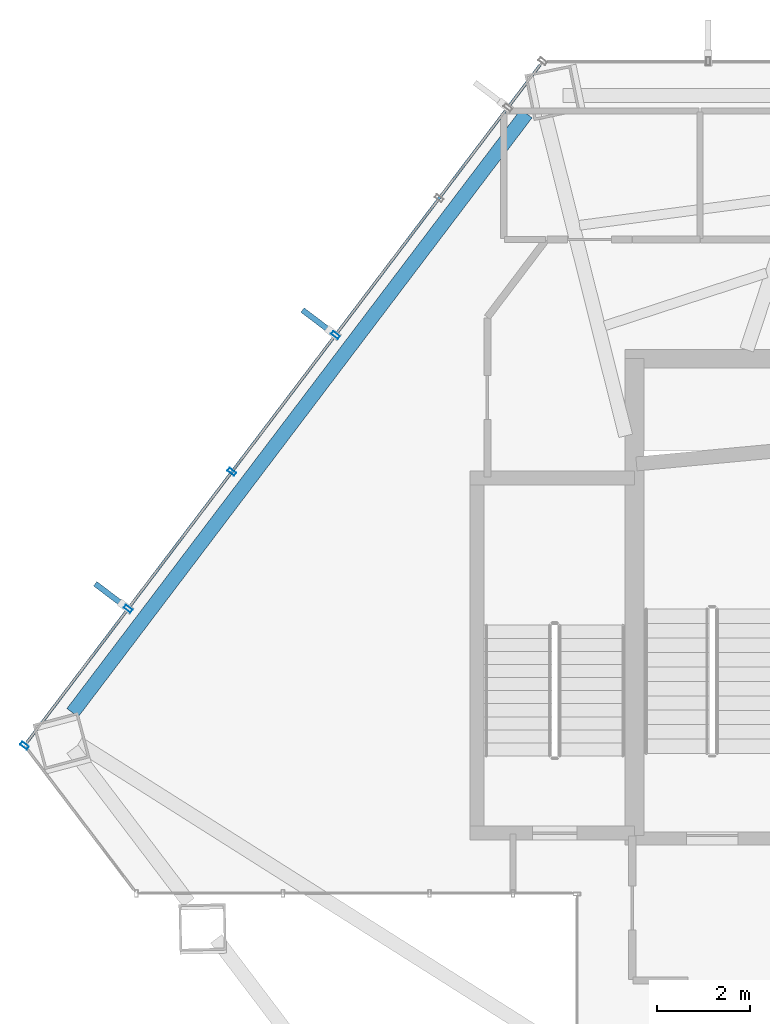
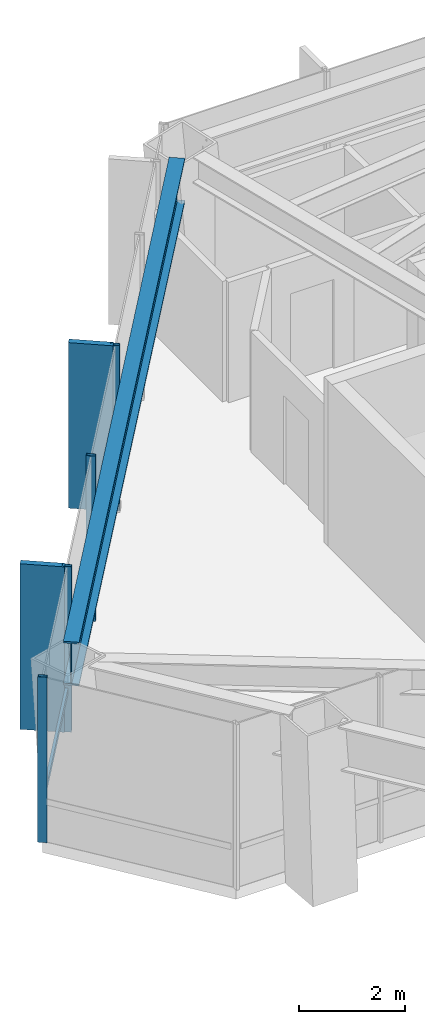
# One storey, part 10 of 24: 7 members, 1 beam, 1 element without a shape of its own.
"""IFC4 building model written with IfcOpenShell, lengths in metres."""

from ifc_helpers import new_model, si_unit, direction, frame, origin, origin_2d, place, context, subcontext, project, spatial, rectangle, hollow_rectangle, i_section, extrude, material, layer, layer_set, material_profile, profile_set, type_object, element, aggregate, save


model = new_model("IFC4")

# Units and contexts
model_context = context("Model", 3, precision=1e-05, world=origin(), true_north=direction((0.0, 1.0)))
body_context = subcontext(model_context, "Body", "Model", "MODEL_VIEW")
ifc_project = project(units=[si_unit("LENGTHUNIT", "METRE"), si_unit("AREAUNIT", "SQUARE_METRE"), si_unit("VOLUMEUNIT", "CUBIC_METRE"), si_unit("PLANEANGLEUNIT", "RADIAN"), si_unit("MASSUNIT", "GRAM", prefix="KILO")], contexts=[model_context])

# Site, building, storey
site_placement = place(None, origin())
site = spatial("IfcSite", under=ifc_project, at=site_placement, CompositionType="ELEMENT")
building_placement = place(site_placement, origin())
building = spatial("IfcBuilding", under=site, at=building_placement, Name="Zarrinselat Tower", CompositionType="ELEMENT")
storey_placement = place(building_placement, frame((0.0, 0.0, 68.340087890625)))
storey = spatial("IfcBuildingStorey", under=building, at=storey_placement, Name="L16", CompositionType="ELEMENT", Elevation=68.340087890625)

# Beam
ifc_material_1 = material(Name="Steel S460M", Category="steel")
ifc_material_profile_1 = material_profile(ifc_material_1, i_section(OverallWidth=0.302001953125, OverallDepth=1.008056640625, WebThickness=0.02099609375, FlangeThickness=0.0400390625, at=origin_2d()), Name="HEM 1000")
ifc_profile_set_1 = profile_set([ifc_material_profile_1], Name="Steel S460M")
beam_type = type_object("IfcBeamType", Name="BM-HEM1000", PredefinedType="BEAM", material=ifc_profile_set_1)
beam_placement = place(storey_placement, frame((16.57568359375, 35.8759765625, 3.31591796875), z_axis=(0.603860026336, 0.797090376678, 0.0), x_axis=(-0.797090376678, 0.603860026336, 0.0)))
element("IfcBeam", 1, at=beam_placement, inside=storey, type_object=beam_type, Name="L16 Perimeter Spandrel Girder SP05", PredefinedType="BEAM", context=body_context, shape_type="SweptSolid", body=[
    extrude(i_section(OverallWidth=0.302001953125, OverallDepth=1.008056640625, WebThickness=0.02099609375, FlangeThickness=0.0400390625, at=origin_2d()), origin(), (0.0, 0.0, 1.0), 16.08154296875),
])

# Curtain wall, members
ifc_material_2 = material(Name="Extruded Aluminium Alloy EN AW-6063 T6", Category="aluminium")
ifc_layer = layer(ifc_material_2, 0.18505859375)
ifc_layer_set = layer_set([ifc_layer], Name="Extruded Aluminium Alloy EN AW-6063 T6")
curtain_wall_type = type_object("IfcCurtainWallType", Name="CWS-OFF", PredefinedType="NOTDEFINED", material=ifc_layer_set)
curtain_wall_placement = place(storey_placement, origin())
curtain_wall = element("IfcCurtainWall", 2, at=curtain_wall_placement, inside=storey, type_object=curtain_wall_type, Name="L16 Unitised Curtain Wall CW-L16-E01", PredefinedType="NOTDEFINED")
ifc_material_3 = material(Name="Extruded Aluminium Alloy EN AW-6063 T6", Category="aluminium")
ifc_material_profile_2 = material_profile(ifc_material_3, hollow_rectangle(XDim=0.080078125, YDim=0.179931640625, WallThickness=0.0048828125, at=origin_2d()), Name="RHS 180x80x5")
ifc_profile_set_2 = profile_set([ifc_material_profile_2], Name="Extruded Aluminium Alloy EN AW-6063 T6")
member_type_1 = type_object("IfcMemberType", Name="MEM-CW-MUL", PredefinedType="MULLION", material=ifc_profile_set_2)
member_1_placement = place(storey_placement, frame((15.548583984375, 35.1748046875, 0.0), z_axis=(0.0, 0.0, 1.0), x_axis=(0.603856639456, 0.797092942501, 0.0)))
member_1 = element("IfcMember", 3, at=member_1_placement, type_object=member_type_1, Name="CW-L16-E01 Mullion 0", PredefinedType="MULLION", context=body_context, shape_type="SweptSolid", body=[
    extrude(hollow_rectangle(XDim=0.080078125, YDim=0.179931640625, WallThickness=0.0048828125, at=origin_2d()), origin(), (0.0, 0.0, 1.0), 3.81982421875),
])
member_2_placement = place(storey_placement, frame((17.76611328125, 38.10205078125, 0.0), z_axis=(0.0, 0.0, 1.0), x_axis=(0.603856639456, 0.797092942501, 0.0)))
member_2 = element("IfcMember", 4, at=member_2_placement, type_object=member_type_1, Name="CW-L16-E01 Mullion 1", PredefinedType="MULLION", context=body_context, shape_type="SweptSolid", body=[
    extrude(hollow_rectangle(XDim=0.080078125, YDim=0.179931640625, WallThickness=0.0048828125, at=origin_2d()), origin(), (0.0, 0.0, 1.0), 3.81982421875),
])
member_3_placement = place(storey_placement, frame((19.98388671875, 41.029296875, 0.0), z_axis=(0.0, 0.0, 1.0), x_axis=(0.603856639456, 0.797092942501, 0.0)))
member_3 = element("IfcMember", 5, at=member_3_placement, type_object=member_type_1, Name="CW-L16-E01 Mullion 2", PredefinedType="MULLION", context=body_context, shape_type="SweptSolid", body=[
    extrude(hollow_rectangle(XDim=0.080078125, YDim=0.179931640625, WallThickness=0.0048828125, at=origin_2d()), origin(), (0.0, 0.0, 1.0), 3.81982421875),
])
member_4_placement = place(storey_placement, frame((22.201416015625, 43.95654296875, 0.0), z_axis=(0.0, 0.0, 1.0), x_axis=(0.603856639456, 0.797092942501, 0.0)))
member_4 = element("IfcMember", 6, at=member_4_placement, type_object=member_type_1, Name="CW-L16-E01 Mullion 3", PredefinedType="MULLION", context=body_context, shape_type="SweptSolid", body=[
    extrude(hollow_rectangle(XDim=0.080078125, YDim=0.179931640625, WallThickness=0.0048828125, at=origin_2d()), origin(), (0.0, 0.0, 1.0), 3.81982421875),
])
ifc_material_4 = material(Name="Extruded Aluminium Alloy EN AW-6063 T6", Category="aluminium")
ifc_material_profile_3 = material_profile(ifc_material_4, hollow_rectangle(XDim=0.06005859375, YDim=0.139892578125, WallThickness=0.00390625, at=origin_2d()), Name="RHS 140x60x4")
ifc_profile_set_3 = profile_set([ifc_material_profile_3], Name="Extruded Aluminium Alloy EN AW-6063 T6")
member_type_2 = type_object("IfcMemberType", Name="MEM-CW-TRN", PredefinedType="USERDEFINED", material=ifc_profile_set_3)
member_5_placement = place(storey_placement, frame((15.602783203125, 35.24658203125, 0.949951171875), z_axis=(0.603857946516, 0.797091952305, 0.0), x_axis=(-0.797091952305, 0.603857946516, 0.0)))
member_5 = element("IfcMember", 7, at=member_5_placement, type_object=member_type_2, Name="CW-L16-E01 Transom 1", ObjectType="TRANSOM", PredefinedType="USERDEFINED", context=body_context, shape_type="SweptSolid", body=[
    extrude(hollow_rectangle(XDim=0.06005859375, YDim=0.139892578125, WallThickness=0.00390625, at=origin_2d()), origin(), (0.0, 0.0, 1.0), 18.18212890625),
])
ifc_material_5 = material(Name="Honed Cream Travertine Stone", Category="masonry")
ifc_material_profile_4 = material_profile(ifc_material_5, rectangle(XDim=0.1201171875, YDim=0.85009765625, at=origin_2d()), Name="FIN 850x120")
ifc_profile_set_4 = profile_set([ifc_material_profile_4], Name="Honed Cream Travertine Stone")
member_type_3 = type_object("IfcMemberType", Name="MEM-STONE-FIN", PredefinedType="USERDEFINED", material=ifc_profile_set_4)
member_6_placement = place(storey_placement, frame((17.3994140625, 38.3798828125, 0.0), z_axis=(0.0, 0.0, 1.0), x_axis=(0.603856639456, 0.797092942501, 0.0)))
member_6 = element("IfcMember", 8, at=member_6_placement, type_object=member_type_3, Name="L16 Stone Shading Fin CW-L16-E01-01", ObjectType="FIN", PredefinedType="USERDEFINED", context=body_context, shape_type="SweptSolid", body=[
    extrude(rectangle(XDim=0.1201171875, YDim=0.85009765625, at=origin_2d()), origin(), (0.0, 0.0, 1.0), 3.81982421875),
])
member_7_placement = place(storey_placement, frame((21.834716796875, 44.234375, 0.0), z_axis=(0.0, 0.0, 1.0), x_axis=(0.603856639456, 0.797092942501, 0.0)))
member_7 = element("IfcMember", 9, at=member_7_placement, type_object=member_type_3, Name="L16 Stone Shading Fin CW-L16-E01-03", ObjectType="FIN", PredefinedType="USERDEFINED", context=body_context, shape_type="SweptSolid", body=[
    extrude(rectangle(XDim=0.1201171875, YDim=0.85009765625, at=origin_2d()), origin(), (0.0, 0.0, 1.0), 3.81982421875),
])
aggregate(curtain_wall, [member_1, member_2, member_6, member_3, member_4, member_7, member_5])

save(model, "model.ifc")
